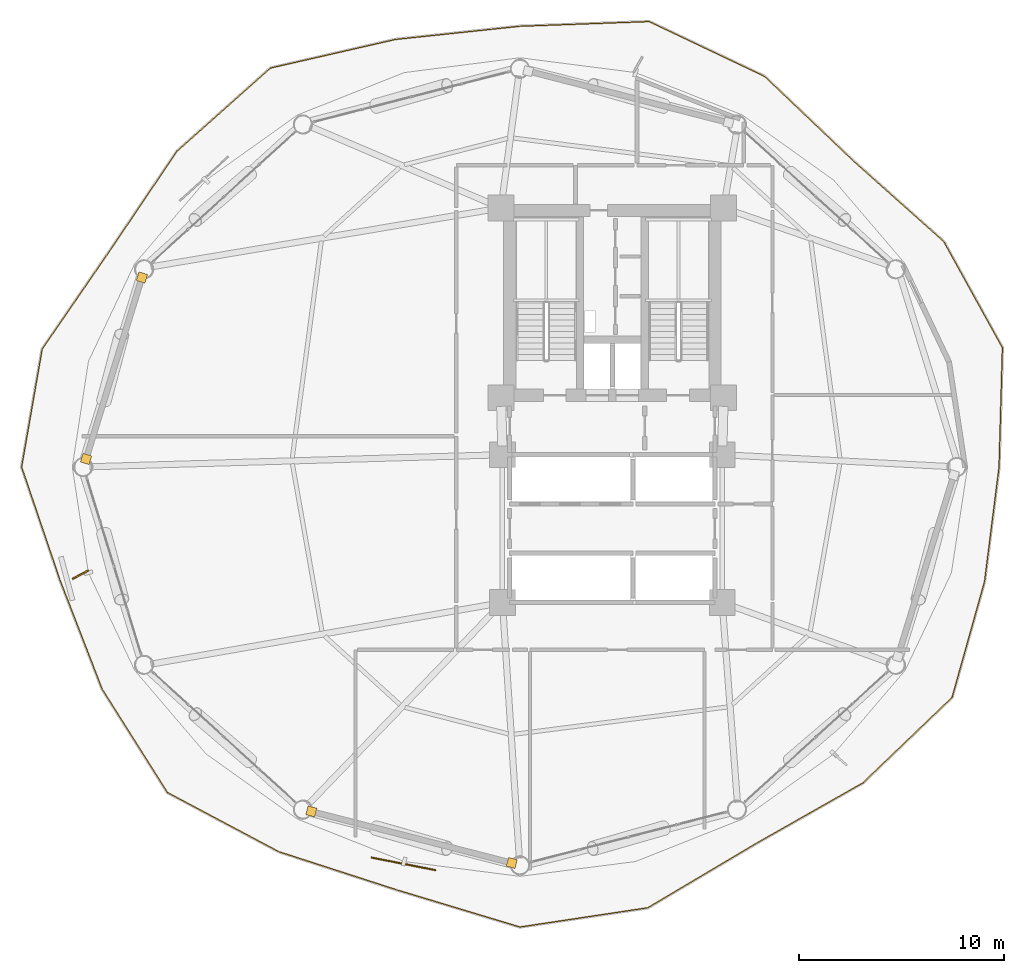
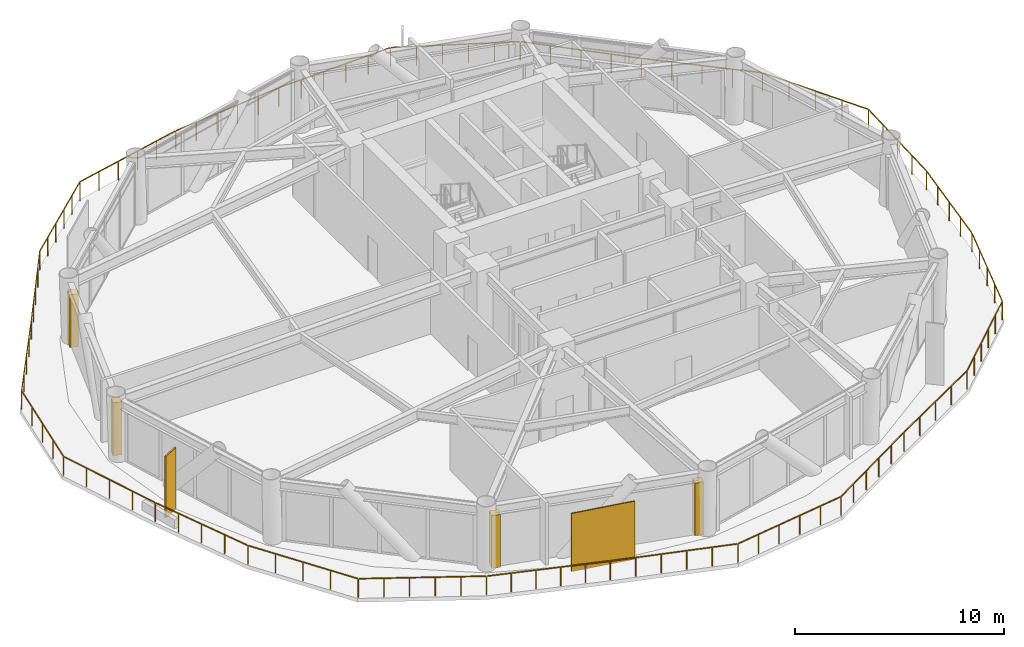
# One storey, part 23 of 25: 4 coverings, 2 shading devices, 1 railing.
"""IFC4 building model written with IfcOpenShell, lengths in metres."""

import ifcopenshell
import ifcopenshell.guid

model = None  # the IFC model being written
_history = None  # IfcOwnerHistory: only IFC2X3 demands one
_inside = {}  # id of a spatial element -> (the spatial element, [elements in it])
_under = {}  # id of a project, library or spatial element -> (it, [spatial elements below it])
_declared = {}  # id of a project -> (the project, [libraries it declares])
_typed = {}  # id of a type object -> (the type object, [elements of that type])
_made_of = {}  # id of a material, layer set ... -> (it, [elements and type objects made of it])


def new_model(schema):
    """Start an empty IFC model of exactly this schema.

    Asked for "IFC4X3", IfcOpenShell would pick the latest addendum, in which some entities
    have other attributes; the version numbers below select the first issue.
    IFC2X3 requires an IfcOwnerHistory on every rooted entity: one is made here for all.
    """
    global model, _history
    if schema == "IFC4X3":
        model = ifcopenshell.file(schema_version=(4, 3, 0, 0))
    else:
        model = ifcopenshell.file(schema=schema)
    _inside.clear()
    _under.clear()
    _declared.clear()
    _typed.clear()
    _made_of.clear()
    _history = None
    if model.schema == "IFC2X3":
        org = make("IfcOrganization", Name="unknown")
        user = make(
            "IfcPersonAndOrganization",
            ThePerson=make("IfcPerson", FamilyName="unknown"),
            TheOrganization=org,
        )
        app = make(
            "IfcApplication",
            ApplicationDeveloper=org,
            Version="unknown",
            ApplicationFullName="unknown",
            ApplicationIdentifier="unknown",
        )
        _history = make(
            "IfcOwnerHistory",
            OwningUser=user,
            OwningApplication=app,
            ChangeAction="ADDED",
            CreationDate=0,
        )
    return model


def make(cls, **values):
    """One entity of the class cls with the attributes given. An attribute that is None is left unset."""
    return model.create_entity(
        cls, **{name: value for name, value in values.items() if value is not None}
    )


def rooted(cls, **values):
    """An entity with a GlobalId (a new one), such as an element, a storey or a relation."""
    return make(cls, GlobalId=ifcopenshell.guid.new(), OwnerHistory=_history, **values)


def si_unit(unit_type, name, prefix=None):
    """IfcSIUnit, for example si_unit("LENGTHUNIT", "METRE", prefix="MILLI")."""
    return make("IfcSIUnit", UnitType=unit_type, Prefix=prefix, Name=name)


def assignment(units):
    """IfcUnitAssignment: the units of a project."""
    return None if units is None else make("IfcUnitAssignment", Units=units)


def point(xyz):
    """IfcCartesianPoint."""
    return None if xyz is None else make("IfcCartesianPoint", Coordinates=xyz)


def direction(xyz):
    """IfcDirection."""
    return None if xyz is None else make("IfcDirection", DirectionRatios=xyz)


def frame(location, z_axis=None, x_axis=None):
    """IfcAxis2Placement3D, a coordinate frame: its origin and axes. An axis left out is left unset."""
    return make(
        "IfcAxis2Placement3D",
        Location=point(location),
        Axis=direction(z_axis),
        RefDirection=direction(x_axis),
    )


def frame_2d(location, x_axis=None):
    """IfcAxis2Placement2D, a coordinate frame in the plane: its origin and x axis."""
    return make(
        "IfcAxis2Placement2D", Location=point(location), RefDirection=direction(x_axis)
    )


def origin():
    """The frame at (0, 0, 0) with its axes left unset."""
    return frame((0.0, 0.0, 0.0))


def origin_2d():
    """The frame at (0, 0) in the plane with its x axis left unset."""
    return frame_2d((0.0, 0.0))


def place(relative_to, where):
    """IfcLocalPlacement: puts the frame where relative to a parent placement (None: the world)."""
    return make(
        "IfcLocalPlacement", PlacementRelTo=relative_to, RelativePlacement=where
    )


def context(
    kind, dimensions, precision=None, world=None, true_north=None, identifier=None
):
    """IfcGeometricRepresentationContext, for example the 3D "Model" context."""
    return make(
        "IfcGeometricRepresentationContext",
        ContextIdentifier=identifier,
        ContextType=kind,
        CoordinateSpaceDimension=dimensions,
        Precision=precision,
        WorldCoordinateSystem=world,
        TrueNorth=true_north,
    )


def subcontext(parent, identifier, kind, view, scale=None):
    """IfcGeometricRepresentationSubContext, for example "Body" below "Model"."""
    return make(
        "IfcGeometricRepresentationSubContext",
        ContextIdentifier=identifier,
        ContextType=kind,
        ParentContext=parent,
        TargetScale=scale,
        TargetView=view,
    )


def project(units=None, contexts=None):
    """IfcProject with its units and contexts."""
    return rooted(
        "IfcProject",
        Name="project",
        RepresentationContexts=contexts,
        UnitsInContext=assignment(units),
    )


def spatial(cls, under=None, at=None, **own):
    """A site, building, storey or space (cls), placed at a placement, below another one or the project."""
    s = rooted(cls, ObjectPlacement=at, **own)
    if under is not None:
        _under.setdefault(under.id(), (under, []))[1].append(s)
    return s


def profile(cls, at=None, kind="AREA", **sizes):
    """A parametric profile (cls). Its sizes go by their IFC names, for example OverallWidth=200.0."""
    return make(cls, ProfileType=kind, Position=at, **sizes)


def rectangle(**sizes):
    """IfcRectangleProfileDef."""
    return profile("IfcRectangleProfileDef", **sizes)


def extrude(swept, where, along, depth):
    """IfcExtrudedAreaSolid: the profile swept, set in the frame where, extruded along a direction by depth."""
    return make(
        "IfcExtrudedAreaSolid",
        SweptArea=swept,
        Position=where,
        ExtrudedDirection=direction(along),
        Depth=depth,
    )


def shape(context_of_items, identifier, shape_type, items):
    """IfcShapeRepresentation: the items that make up one representation, for example the "Body"."""
    return make(
        "IfcShapeRepresentation",
        ContextOfItems=context_of_items,
        RepresentationIdentifier=identifier,
        RepresentationType=shape_type,
        Items=items,
    )


def source(mapping_origin, context_of_items, identifier, shape_type, items):
    """IfcRepresentationMap: a shape defined once, which mapped items show again and again."""
    return make(
        "IfcRepresentationMap",
        MappingOrigin=mapping_origin,
        MappedRepresentation=shape(context_of_items, identifier, shape_type, items),
    )


def transform(
    local_origin,
    x_axis=None,
    y_axis=None,
    z_axis=None,
    scale=None,
    scale2=None,
    scale3=None,
    uniform=True,
):
    """IfcCartesianTransformationOperator3D, or its non-uniform kind. x_axis, y_axis, z_axis: its Axis1, 2, 3."""
    if uniform:
        return make(
            "IfcCartesianTransformationOperator3D",
            Axis1=direction(x_axis),
            Axis2=direction(y_axis),
            LocalOrigin=point(local_origin),
            Scale=scale,
            Axis3=direction(z_axis),
        )
    return make(
        "IfcCartesianTransformationOperator3DnonUniform",
        Axis1=direction(x_axis),
        Axis2=direction(y_axis),
        LocalOrigin=point(local_origin),
        Scale=scale,
        Axis3=direction(z_axis),
        Scale2=scale2,
        Scale3=scale3,
    )


def mapped(mapping_source, mapping_target):
    """IfcMappedItem: shows the shape of a source again, moved by a transform."""
    return make(
        "IfcMappedItem", MappingSource=mapping_source, MappingTarget=mapping_target
    )


def material(Name=None, Category=None):
    """IfcMaterial."""
    return make("IfcMaterial", Name=Name, Category=Category)


def layer(
    of_material, thickness, ventilated=None, Name=None, Category=None, Priority=None
):
    """IfcMaterialLayer: one layer of a wall or slab, of a material (None: an air gap)."""
    return make(
        "IfcMaterialLayer",
        Material=of_material,
        LayerThickness=thickness,
        IsVentilated=ventilated,
        Name=Name,
        Category=Category,
        Priority=Priority,
    )


def layer_set(layers, Name=None):
    """IfcMaterialLayerSet."""
    return make("IfcMaterialLayerSet", MaterialLayers=layers, LayerSetName=Name)


def made_of(thing, what):
    """Note that an element or type object is made of a material, layer set ...; save() writes the relation."""
    if what is not None:
        _made_of.setdefault(what.id(), (what, []))[1].append(thing)
    return thing


def type_object(cls, material=None, **own):
    """A type object (cls), such as IfcWallType, which elements share."""
    return made_of(rooted(cls, **own), material)


def type_shapes(of_type, sources):
    """Give a type object the sources (RepresentationMaps) that its elements show as mapped items."""
    of_type.RepresentationMaps = sources


def element(
    cls,
    number,
    at=None,
    inside=None,
    cuts=None,
    type_object=None,
    material=None,
    context=None,
    identifier="Body",
    shape_type=None,
    held_by="IfcProductDefinitionShape",
    body=None,
    shapes=None,
    **own,
):
    """One element of the class cls, such as IfcWall. Its Tag is "e" and its number.

    at: its placement. inside: the storey or other place that contains it. cuts: it is an
    opening in that element (IfcRelVoidsElement). A single representation is given by context,
    identifier, shape_type and body (its items); several are given by shapes. held_by: the class
    of the entity that holds the representations. save() writes the other relations.
    """
    e = rooted(cls, Tag="e%d" % number, ObjectPlacement=at, **own)
    if body is not None:
        shapes = [shape(context, identifier, shape_type, body)]
    if shapes is not None:
        e.Representation = make(held_by, Representations=shapes)
    if inside is not None:
        _inside.setdefault(inside.id(), (inside, []))[1].append(e)
    if cuts is not None:
        rooted(
            "IfcRelVoidsElement", RelatingBuildingElement=cuts, RelatedOpeningElement=e
        )
    if type_object is not None:
        _typed.setdefault(type_object.id(), (type_object, []))[1].append(e)
    return made_of(e, material)


def aggregate(whole, parts):
    """IfcRelAggregates: a whole, such as a stair, and the parts it consists of."""
    return rooted("IfcRelAggregates", RelatingObject=whole, RelatedObjects=parts)


def save(model, path):
    """Write the relations noted so far, then the file.

    IfcRelAggregates (storeys below a building ...), IfcRelContainedInSpatialStructure (elements
    in a storey), IfcRelDefinesByType, IfcRelAssociatesMaterial and IfcRelDeclares: one each for
    every whole, place, type object, material and project.
    """
    for whole, parts in _under.values():
        aggregate(whole, parts)
    for where, things in _inside.values():
        rooted(
            "IfcRelContainedInSpatialStructure",
            RelatedElements=things,
            RelatingStructure=where,
        )
    for kind, things in _typed.values():
        rooted("IfcRelDefinesByType", RelatedObjects=things, RelatingType=kind)
    for what, things in _made_of.values():
        rooted("IfcRelAssociatesMaterial", RelatedObjects=things, RelatingMaterial=what)
    for by, libraries in _declared.values():
        rooted("IfcRelDeclares", RelatingContext=by, RelatedDefinitions=libraries)
    model.write(path)


model = new_model("IFC4")

# Units and contexts
model_context = context("Model", 3, precision=1e-05, world=origin(), true_north=direction((0.0, 1.0)))
body_context = subcontext(model_context, "Body", "Model", "MODEL_VIEW")
ifc_project = project(units=[si_unit("LENGTHUNIT", "METRE"), si_unit("AREAUNIT", "SQUARE_METRE"), si_unit("VOLUMEUNIT", "CUBIC_METRE"), si_unit("PLANEANGLEUNIT", "RADIAN"), si_unit("MASSUNIT", "GRAM", prefix="KILO")], contexts=[model_context])

# Site, building, storey
site_placement = place(None, origin())
site = spatial("IfcSite", under=ifc_project, at=site_placement, CompositionType="ELEMENT")
building_placement = place(site_placement, origin())
building = spatial("IfcBuilding", under=site, at=building_placement, Name="Varnakorn Sky Granary", CompositionType="ELEMENT")
storey_placement = place(building_placement, frame((0.0, 0.0, 54.89990234375)))
storey = spatial("IfcBuildingStorey", under=building, at=storey_placement, Name="L13", CompositionType="ELEMENT", Elevation=54.89990234375)

# Railing
ifc_material = material(Name="Anodised Bronze Aluminium Alloy 6063-T6", Category="aluminium")
railing_type = type_object("IfcRailingType", Name="RL-BAL-1120", PredefinedType="BALUSTRADE", material=ifc_material)
railing_placement = place(storey_placement, frame((21.83740234375, 0.0, 0.0)))
element("IfcRailing", 1, at=railing_placement, inside=storey, type_object=railing_type, Name="Wavy Growing Deck Guard Balustrade L13", PredefinedType="BALUSTRADE", context=body_context, shape_type="SweptSolid", body=[
    extrude(rectangle(XDim=0.048095703125, YDim=0.048095703125, at=origin_2d()), frame((0.000732421875, 0.028076171875, 1.09619140625), z_axis=(0.028158435354, 0.999603472642, 0.0), x_axis=(-0.999603472642, 0.028158435354, 0.0)), (0.0, 0.0, 1.0), 5.76171875),
    extrude(rectangle(XDim=0.048095703125, YDim=0.048095703125, at=origin_2d()), frame((0.150390625, 5.83984375, 1.09619140625), z_axis=(-0.48339293299, 0.87540349116, 0.0), x_axis=(-0.87540349116, -0.48339293299, 0.0)), (0.0, 0.0, 1.0), 5.853759765625),
    extrude(rectangle(XDim=0.048095703125, YDim=0.048095703125, at=origin_2d()), frame((-2.7138671875, 11.00732421875, 1.09619140625), z_axis=(-0.746350362775, 0.665553255559, 0.0), x_axis=(-0.665553255559, -0.746350362775, 0.0)), (0.0, 0.0, 1.0), 5.851318359375),
    extrude(rectangle(XDim=0.048095703125, YDim=0.048095703125, at=origin_2d()), frame((-7.1220703125, 14.939697265625, 1.09619140625), z_axis=(-0.72433755316, 0.689445508421, 0.0), x_axis=(-0.689445508421, -0.72433755316, 0.0)), (0.0, 0.0, 1.0), 5.905517578125),
    extrude(rectangle(XDim=0.048095703125, YDim=0.048095703125, at=origin_2d()), frame((-11.4453125, 19.04248046875, 1.09619140625), z_axis=(-0.903426840516, 0.428742281372, 0.0), x_axis=(-0.428742281372, -0.903426840516, 0.0)), (0.0, 0.0, 1.0), 6.166748046875),
    extrude(rectangle(XDim=0.048095703125, YDim=0.048095703125, at=origin_2d()), frame((-17.06982421875, 21.697509765625, 1.09619140625), z_axis=(-0.999343305131, -0.036234769081, 0.0), x_axis=(0.036234769081, -0.999343305131, 0.0)), (0.0, 0.0, 1.0), 6.243896484375),
    extrude(rectangle(XDim=0.048095703125, YDim=0.048095703125, at=origin_2d()), frame((-23.365234375, 21.46728515625, 1.09619140625), z_axis=(-0.994433461932, -0.105366454768, 0.0), x_axis=(0.105366454768, -0.994433461932, 0.0)), (0.0, 0.0, 1.0), 6.040283203125),
    extrude(rectangle(XDim=0.048095703125, YDim=0.048095703125, at=origin_2d()), frame((-29.427001953125, 20.821533203125, 1.09619140625), z_axis=(-0.974810450514, -0.223034942485, 0.0), x_axis=(0.223034942485, -0.974810450514, 0.0)), (0.0, 0.0, 1.0), 6.18994140625),
    extrude(rectangle(XDim=0.048095703125, YDim=0.048095703125, at=origin_2d()), frame((-35.50927734375, 19.416259765625, 1.09619140625), z_axis=(-0.747241228482, -0.664552892144, 0.0), x_axis=(0.664552892144, -0.747241228482, 0.0)), (0.0, 0.0, 1.0), 6.03515625),
    extrude(rectangle(XDim=0.048095703125, YDim=0.048095703125, at=origin_2d()), frame((-40.055419921875, 15.36376953125, 1.09619140625), z_axis=(-0.559523511195, -0.828814478892, 0.0), x_axis=(0.828814478892, -0.559523511195, 0.0)), (0.0, 0.0, 1.0), 5.738037109375),
    extrude(rectangle(XDim=0.048095703125, YDim=0.048095703125, at=origin_2d()), frame((-43.297607421875, 10.561767578125, 1.09619140625), z_axis=(-0.566717857448, -0.823911931003, 0.0), x_axis=(0.823911931003, -0.566717857448, 0.0)), (0.0, 0.0, 1.0), 5.808349609375),
    extrude(rectangle(XDim=0.048095703125, YDim=0.048095703125, at=origin_2d()), frame((-46.610107421875, 5.725341796875, 1.09619140625), z_axis=(-0.171743428829, -0.98514171298, 0.0), x_axis=(0.98514171298, -0.171743428829, 0.0)), (0.0, 0.0, 1.0), 5.78369140625),
    extrude(rectangle(XDim=0.048095703125, YDim=0.048095703125, at=origin_2d()), frame((-47.59912109375, -0.026611328125, 1.09619140625), z_axis=(0.321449930484, -0.94692657698, 0.0), x_axis=(0.94692657698, 0.321449930484, 0.0)), (0.0, 0.0, 1.0), 5.773193359375),
    extrude(rectangle(XDim=0.048095703125, YDim=0.048095703125, at=origin_2d()), frame((-45.724365234375, -5.5458984375, 1.09619140625), z_axis=(0.360591352578, -0.932723901509, 0.0), x_axis=(0.932723901509, 0.360591352578, 0.0)), (0.0, 0.0, 1.0), 5.62451171875),
    extrude(rectangle(XDim=0.048095703125, YDim=0.048095703125, at=origin_2d()), frame((-43.671142578125, -10.841796875, 1.09619140625), z_axis=(0.533895814271, -0.84555027024, 0.0), x_axis=(0.84555027024, 0.533895814271, 0.0)), (0.0, 0.0, 1.0), 5.899169921875),
    extrude(rectangle(XDim=0.048095703125, YDim=0.048095703125, at=origin_2d()), frame((-40.48193359375, -15.86669921875, 1.09619140625), z_axis=(0.883092553247, -0.469198830348, 0.0), x_axis=(0.469198830348, 0.883092553247, 0.0)), (0.0, 0.0, 1.0), 6.08447265625),
    extrude(rectangle(XDim=0.048095703125, YDim=0.048095703125, at=origin_2d()), frame((-35.057373046875, -18.7431640625, 1.09619140625), z_axis=(0.951415616737, -0.307909603989, 0.0), x_axis=(0.307909603989, 0.951415616737, 0.0)), (0.0, 0.0, 1.0), 5.984375),
    extrude(rectangle(XDim=0.048095703125, YDim=0.048095703125, at=origin_2d()), frame((-29.310302734375, -20.6025390625, 1.09619140625), z_axis=(0.957412476455, -0.288723656684, 0.0), x_axis=(0.288723656684, 0.957412476455, 0.0)), (0.0, 0.0, 1.0), 6.210693359375),
    extrude(rectangle(XDim=0.048095703125, YDim=0.048095703125, at=origin_2d()), frame((-23.309814453125, -22.399658203125, 1.09619140625), z_axis=(0.988854668406, 0.148883997703, 0.0), x_axis=(-0.148883997703, 0.988854668406, 0.0)), (0.0, 0.0, 1.0), 6.247314453125),
    extrude(rectangle(XDim=0.048095703125, YDim=0.048095703125, at=origin_2d()), frame((-17.080078125, -21.450927734375, 1.09619140625), z_axis=(0.859872742609, 0.510508439224, 0.0), x_axis=(-0.510508439224, 0.859872742609, 0.0)), (0.0, 0.0, 1.0), 6.08447265625),
    extrude(rectangle(XDim=0.048095703125, YDim=0.048095703125, at=origin_2d()), frame((-11.7998046875, -18.316650390625, 1.09619140625), z_axis=(0.869802688905, 0.49339971866, 0.0), x_axis=(-0.49339971866, 0.869802688905, 0.0)), (0.0, 0.0, 1.0), 5.909912109375),
    extrude(rectangle(XDim=0.048095703125, YDim=0.048095703125, at=origin_2d()), frame((-6.61474609375, -15.36767578125, 1.09619140625), z_axis=(0.722013530442, 0.691878935839, 0.0), x_axis=(-0.691878935839, 0.722013530442, 0.0)), (0.0, 0.0, 1.0), 5.963623046875),
    extrude(rectangle(XDim=0.048095703125, YDim=0.048095703125, at=origin_2d()), frame((-2.28125, -11.1953125, 1.09619140625), z_axis=(0.270044226214, 0.962847919398, 0.0), x_axis=(-0.962847919398, 0.270044226214, 0.0)), (0.0, 0.0, 1.0), 5.801513671875),
    extrude(rectangle(XDim=0.048095703125, YDim=0.048095703125, at=origin_2d()), frame((-0.70361328125, -5.554443359375, 1.09619140625), z_axis=(0.125652620859, 0.992074301084, 0.0), x_axis=(-0.992074301084, 0.125652620859, 0.0)), (0.0, 0.0, 1.0), 5.57080078125),
    extrude(rectangle(XDim=0.0419921875, YDim=0.0419921875, at=origin_2d()), origin(), (0.0, 0.0, 1.0), 1.068115234375),
    extrude(rectangle(XDim=0.0419921875, YDim=0.0419921875, at=origin_2d()), frame((0.041015625, 1.453857421875, 0.0)), (0.0, 0.0, 1.0), 1.068115234375),
    extrude(rectangle(XDim=0.0419921875, YDim=0.0419921875, at=origin_2d()), frame((0.08203125, 2.90771484375, 0.0)), (0.0, 0.0, 1.0), 1.068115234375),
    extrude(rectangle(XDim=0.0419921875, YDim=0.0419921875, at=origin_2d()), frame((0.122802734375, 4.361572265625, 0.0)), (0.0, 0.0, 1.0), 1.068115234375),
    extrude(rectangle(XDim=0.0419921875, YDim=0.0419921875, at=origin_2d()), frame((0.163818359375, 5.8154296875, 0.0)), (0.0, 0.0, 1.0), 1.068115234375),
    extrude(rectangle(XDim=0.0419921875, YDim=0.0419921875, at=origin_2d()), frame((-0.55029296875, 7.10888671875, 0.0)), (0.0, 0.0, 1.0), 1.068115234375),
    extrude(rectangle(XDim=0.0419921875, YDim=0.0419921875, at=origin_2d()), frame((-1.2646484375, 8.402099609375, 0.0)), (0.0, 0.0, 1.0), 1.068115234375),
    extrude(rectangle(XDim=0.0419921875, YDim=0.0419921875, at=origin_2d()), frame((-1.978759765625, 9.6953125, 0.0)), (0.0, 0.0, 1.0), 1.068115234375),
    extrude(rectangle(XDim=0.0419921875, YDim=0.0419921875, at=origin_2d()), frame((-2.69287109375, 10.98876953125, 0.0)), (0.0, 0.0, 1.0), 1.068115234375),
    extrude(rectangle(XDim=0.0419921875, YDim=0.0419921875, at=origin_2d()), frame((-3.795166015625, 11.9716796875, 0.0)), (0.0, 0.0, 1.0), 1.068115234375),
    extrude(rectangle(XDim=0.0419921875, YDim=0.0419921875, at=origin_2d()), frame((-4.8974609375, 12.95458984375, 0.0)), (0.0, 0.0, 1.0), 1.068115234375),
    extrude(rectangle(XDim=0.0419921875, YDim=0.0419921875, at=origin_2d()), frame((-5.99951171875, 13.9375, 0.0)), (0.0, 0.0, 1.0), 1.068115234375),
    extrude(rectangle(XDim=0.0419921875, YDim=0.0419921875, at=origin_2d()), frame((-7.101806640625, 14.92041015625, 0.0)), (0.0, 0.0, 1.0), 1.068115234375),
    extrude(rectangle(XDim=0.0419921875, YDim=0.0419921875, at=origin_2d()), frame((-8.181396484375, 15.947998046875, 0.0)), (0.0, 0.0, 1.0), 1.068115234375),
    extrude(rectangle(XDim=0.0419921875, YDim=0.0419921875, at=origin_2d()), frame((-9.2607421875, 16.9755859375, 0.0)), (0.0, 0.0, 1.0), 1.068115234375),
    extrude(rectangle(XDim=0.0419921875, YDim=0.0419921875, at=origin_2d()), frame((-10.34033203125, 18.0029296875, 0.0)), (0.0, 0.0, 1.0), 1.068115234375),
    extrude(rectangle(XDim=0.0419921875, YDim=0.0419921875, at=origin_2d()), frame((-11.419921875, 19.030517578125, 0.0)), (0.0, 0.0, 1.0), 1.068115234375),
    extrude(rectangle(XDim=0.0419921875, YDim=0.0419921875, at=origin_2d()), frame((-12.544189453125, 19.564208984375, 0.0)), (0.0, 0.0, 1.0), 1.068115234375),
    extrude(rectangle(XDim=0.0419921875, YDim=0.0419921875, at=origin_2d()), frame((-13.668701171875, 20.09765625, 0.0)), (0.0, 0.0, 1.0), 1.068115234375),
    extrude(rectangle(XDim=0.0419921875, YDim=0.0419921875, at=origin_2d()), frame((-14.79296875, 20.63134765625, 0.0)), (0.0, 0.0, 1.0), 1.068115234375),
    extrude(rectangle(XDim=0.0419921875, YDim=0.0419921875, at=origin_2d()), frame((-15.91748046875, 21.164794921875, 0.0)), (0.0, 0.0, 1.0), 1.068115234375),
    extrude(rectangle(XDim=0.0419921875, YDim=0.0419921875, at=origin_2d()), frame((-17.041748046875, 21.698486328125, 0.0)), (0.0, 0.0, 1.0), 1.068115234375),
    extrude(rectangle(XDim=0.0419921875, YDim=0.0419921875, at=origin_2d()), frame((-18.30078125, 21.65283203125, 0.0)), (0.0, 0.0, 1.0), 1.068115234375),
    extrude(rectangle(XDim=0.0419921875, YDim=0.0419921875, at=origin_2d()), frame((-19.56005859375, 21.607177734375, 0.0)), (0.0, 0.0, 1.0), 1.068115234375),
    extrude(rectangle(XDim=0.0419921875, YDim=0.0419921875, at=origin_2d()), frame((-20.819091796875, 21.5615234375, 0.0)), (0.0, 0.0, 1.0), 1.068115234375),
    extrude(rectangle(XDim=0.0419921875, YDim=0.0419921875, at=origin_2d()), frame((-22.078369140625, 21.515869140625, 0.0)), (0.0, 0.0, 1.0), 1.068115234375),
    extrude(rectangle(XDim=0.0419921875, YDim=0.0419921875, at=origin_2d()), frame((-23.33740234375, 21.47021484375, 0.0)), (0.0, 0.0, 1.0), 1.068115234375),
    extrude(rectangle(XDim=0.0419921875, YDim=0.0419921875, at=origin_2d()), frame((-24.5498046875, 21.341796875, 0.0)), (0.0, 0.0, 1.0), 1.068115234375),
    extrude(rectangle(XDim=0.0419921875, YDim=0.0419921875, at=origin_2d()), frame((-25.76220703125, 21.21337890625, 0.0)), (0.0, 0.0, 1.0), 1.068115234375),
    extrude(rectangle(XDim=0.0419921875, YDim=0.0419921875, at=origin_2d()), frame((-26.974853515625, 21.084716796875, 0.0)), (0.0, 0.0, 1.0), 1.068115234375),
    extrude(rectangle(XDim=0.0419921875, YDim=0.0419921875, at=origin_2d()), frame((-28.187255859375, 20.956298828125, 0.0)), (0.0, 0.0, 1.0), 1.068115234375),
    extrude(rectangle(XDim=0.0419921875, YDim=0.0419921875, at=origin_2d()), frame((-29.399658203125, 20.827880859375, 0.0)), (0.0, 0.0, 1.0), 1.068115234375),
    extrude(rectangle(XDim=0.0419921875, YDim=0.0419921875, at=origin_2d()), frame((-30.617431640625, 20.54931640625, 0.0)), (0.0, 0.0, 1.0), 1.068115234375),
    extrude(rectangle(XDim=0.0419921875, YDim=0.0419921875, at=origin_2d()), frame((-31.835205078125, 20.270751953125, 0.0)), (0.0, 0.0, 1.0), 1.068115234375),
    extrude(rectangle(XDim=0.0419921875, YDim=0.0419921875, at=origin_2d()), frame((-33.052734375, 19.991943359375, 0.0)), (0.0, 0.0, 1.0), 1.068115234375),
    extrude(rectangle(XDim=0.0419921875, YDim=0.0419921875, at=origin_2d()), frame((-34.2705078125, 19.71337890625, 0.0)), (0.0, 0.0, 1.0), 1.068115234375),
    extrude(rectangle(XDim=0.0419921875, YDim=0.0419921875, at=origin_2d()), frame((-35.48828125, 19.434814453125, 0.0)), (0.0, 0.0, 1.0), 1.068115234375),
    extrude(rectangle(XDim=0.0419921875, YDim=0.0419921875, at=origin_2d()), frame((-36.398681640625, 18.625244140625, 0.0)), (0.0, 0.0, 1.0), 1.068115234375),
    extrude(rectangle(XDim=0.0419921875, YDim=0.0419921875, at=origin_2d()), frame((-37.308837890625, 17.815673828125, 0.0)), (0.0, 0.0, 1.0), 1.068115234375),
    extrude(rectangle(XDim=0.0419921875, YDim=0.0419921875, at=origin_2d()), frame((-38.21923828125, 17.006103515625, 0.0)), (0.0, 0.0, 1.0), 1.068115234375),
    extrude(rectangle(XDim=0.0419921875, YDim=0.0419921875, at=origin_2d()), frame((-39.12939453125, 16.196533203125, 0.0)), (0.0, 0.0, 1.0), 1.068115234375),
    extrude(rectangle(XDim=0.0419921875, YDim=0.0419921875, at=origin_2d()), frame((-40.039794921875, 15.386962890625, 0.0)), (0.0, 0.0, 1.0), 1.068115234375),
    extrude(rectangle(XDim=0.0419921875, YDim=0.0419921875, at=origin_2d()), frame((-40.850341796875, 14.1865234375, 0.0)), (0.0, 0.0, 1.0), 1.068115234375),
    extrude(rectangle(XDim=0.0419921875, YDim=0.0419921875, at=origin_2d()), frame((-41.66064453125, 12.98583984375, 0.0)), (0.0, 0.0, 1.0), 1.068115234375),
    extrude(rectangle(XDim=0.0419921875, YDim=0.0419921875, at=origin_2d()), frame((-42.47119140625, 11.78515625, 0.0)), (0.0, 0.0, 1.0), 1.068115234375),
    extrude(rectangle(XDim=0.0419921875, YDim=0.0419921875, at=origin_2d()), frame((-43.28173828125, 10.584716796875, 0.0)), (0.0, 0.0, 1.0), 1.068115234375),
    extrude(rectangle(XDim=0.0419921875, YDim=0.0419921875, at=origin_2d()), frame((-44.112548828125, 9.376708984375, 0.0)), (0.0, 0.0, 1.0), 1.068115234375),
    extrude(rectangle(XDim=0.0419921875, YDim=0.0419921875, at=origin_2d()), frame((-44.943359375, 8.1689453125, 0.0)), (0.0, 0.0, 1.0), 1.068115234375),
    extrude(rectangle(XDim=0.0419921875, YDim=0.0419921875, at=origin_2d()), frame((-45.7744140625, 6.9609375, 0.0)), (0.0, 0.0, 1.0), 1.068115234375),
    extrude(rectangle(XDim=0.0419921875, YDim=0.0419921875, at=origin_2d()), frame((-46.605224609375, 5.7529296875, 0.0)), (0.0, 0.0, 1.0), 1.068115234375),
    extrude(rectangle(XDim=0.0419921875, YDim=0.0419921875, at=origin_2d()), frame((-46.85595703125, 4.314697265625, 0.0)), (0.0, 0.0, 1.0), 1.068115234375),
    extrude(rectangle(XDim=0.0419921875, YDim=0.0419921875, at=origin_2d()), frame((-47.106689453125, 2.87646484375, 0.0)), (0.0, 0.0, 1.0), 1.068115234375),
    extrude(rectangle(XDim=0.0419921875, YDim=0.0419921875, at=origin_2d()), frame((-47.357421875, 1.438232421875, 0.0)), (0.0, 0.0, 1.0), 1.068115234375),
    extrude(rectangle(XDim=0.0419921875, YDim=0.0419921875, at=origin_2d()), frame((-47.608154296875, 0.0, 0.0)), (0.0, 0.0, 1.0), 1.068115234375),
    extrude(rectangle(XDim=0.0419921875, YDim=0.0419921875, at=origin_2d()), frame((-47.1396484375, -1.3798828125, 0.0)), (0.0, 0.0, 1.0), 1.068115234375),
    extrude(rectangle(XDim=0.0419921875, YDim=0.0419921875, at=origin_2d()), frame((-46.67138671875, -2.759765625, 0.0)), (0.0, 0.0, 1.0), 1.068115234375),
    extrude(rectangle(XDim=0.0419921875, YDim=0.0419921875, at=origin_2d()), frame((-46.202880859375, -4.139892578125, 0.0)), (0.0, 0.0, 1.0), 1.068115234375),
    extrude(rectangle(XDim=0.0419921875, YDim=0.0419921875, at=origin_2d()), frame((-45.734375, -5.519775390625, 0.0)), (0.0, 0.0, 1.0), 1.068115234375),
    extrude(rectangle(XDim=0.0419921875, YDim=0.0419921875, at=origin_2d()), frame((-45.22216796875, -6.84423828125, 0.0)), (0.0, 0.0, 1.0), 1.068115234375),
    extrude(rectangle(XDim=0.0419921875, YDim=0.0419921875, at=origin_2d()), frame((-44.710205078125, -8.1689453125, 0.0)), (0.0, 0.0, 1.0), 1.068115234375),
    extrude(rectangle(XDim=0.0419921875, YDim=0.0419921875, at=origin_2d()), frame((-44.1982421875, -9.49365234375, 0.0)), (0.0, 0.0, 1.0), 1.068115234375),
    extrude(rectangle(XDim=0.0419921875, YDim=0.0419921875, at=origin_2d()), frame((-43.68603515625, -10.818115234375, 0.0)), (0.0, 0.0, 1.0), 1.068115234375),
    extrude(rectangle(XDim=0.0419921875, YDim=0.0419921875, at=origin_2d()), frame((-42.89111328125, -12.076904296875, 0.0)), (0.0, 0.0, 1.0), 1.068115234375),
    extrude(rectangle(XDim=0.0419921875, YDim=0.0419921875, at=origin_2d()), frame((-42.09619140625, -13.3359375, 0.0)), (0.0, 0.0, 1.0), 1.068115234375),
    extrude(rectangle(XDim=0.0419921875, YDim=0.0419921875, at=origin_2d()), frame((-41.301513671875, -14.5947265625, 0.0)), (0.0, 0.0, 1.0), 1.068115234375),
    extrude(rectangle(XDim=0.0419921875, YDim=0.0419921875, at=origin_2d()), frame((-40.506591796875, -15.853515625, 0.0)), (0.0, 0.0, 1.0), 1.068115234375),
    extrude(rectangle(XDim=0.0419921875, YDim=0.0419921875, at=origin_2d()), frame((-39.422119140625, -16.4296875, 0.0)), (0.0, 0.0, 1.0), 1.068115234375),
    extrude(rectangle(XDim=0.0419921875, YDim=0.0419921875, at=origin_2d()), frame((-38.337646484375, -17.005859375, 0.0)), (0.0, 0.0, 1.0), 1.068115234375),
    extrude(rectangle(XDim=0.0419921875, YDim=0.0419921875, at=origin_2d()), frame((-37.2529296875, -17.582275390625, 0.0)), (0.0, 0.0, 1.0), 1.068115234375),
    extrude(rectangle(XDim=0.0419921875, YDim=0.0419921875, at=origin_2d()), frame((-36.16845703125, -18.158447265625, 0.0)), (0.0, 0.0, 1.0), 1.068115234375),
    extrude(rectangle(XDim=0.0419921875, YDim=0.0419921875, at=origin_2d()), frame((-35.083984375, -18.734619140625, 0.0)), (0.0, 0.0, 1.0), 1.068115234375),
    extrude(rectangle(XDim=0.0419921875, YDim=0.0419921875, at=origin_2d()), frame((-33.9345703125, -19.106689453125, 0.0)), (0.0, 0.0, 1.0), 1.068115234375),
    extrude(rectangle(XDim=0.0419921875, YDim=0.0419921875, at=origin_2d()), frame((-32.78515625, -19.478515625, 0.0)), (0.0, 0.0, 1.0), 1.068115234375),
    extrude(rectangle(XDim=0.0419921875, YDim=0.0419921875, at=origin_2d()), frame((-31.635986328125, -19.8505859375, 0.0)), (0.0, 0.0, 1.0), 1.068115234375),
    extrude(rectangle(XDim=0.0419921875, YDim=0.0419921875, at=origin_2d()), frame((-30.486572265625, -20.222412109375, 0.0)), (0.0, 0.0, 1.0), 1.068115234375),
    extrude(rectangle(XDim=0.0419921875, YDim=0.0419921875, at=origin_2d()), frame((-29.337158203125, -20.594482421875, 0.0)), (0.0, 0.0, 1.0), 1.068115234375),
    extrude(rectangle(XDim=0.0419921875, YDim=0.0419921875, at=origin_2d()), frame((-28.13720703125, -20.956298828125, 0.0)), (0.0, 0.0, 1.0), 1.068115234375),
    extrude(rectangle(XDim=0.0419921875, YDim=0.0419921875, at=origin_2d()), frame((-26.937255859375, -21.318115234375, 0.0)), (0.0, 0.0, 1.0), 1.068115234375),
    extrude(rectangle(XDim=0.0419921875, YDim=0.0419921875, at=origin_2d()), frame((-25.7373046875, -21.68017578125, 0.0)), (0.0, 0.0, 1.0), 1.068115234375),
    extrude(rectangle(XDim=0.0419921875, YDim=0.0419921875, at=origin_2d()), frame((-24.537353515625, -22.0419921875, 0.0)), (0.0, 0.0, 1.0), 1.068115234375),
    extrude(rectangle(XDim=0.0419921875, YDim=0.0419921875, at=origin_2d()), frame((-23.33740234375, -22.40380859375, 0.0)), (0.0, 0.0, 1.0), 1.068115234375),
    extrude(rectangle(XDim=0.0419921875, YDim=0.0419921875, at=origin_2d()), frame((-22.0908203125, -22.216064453125, 0.0)), (0.0, 0.0, 1.0), 1.068115234375),
    extrude(rectangle(XDim=0.0419921875, YDim=0.0419921875, at=origin_2d()), frame((-20.84423828125, -22.0283203125, 0.0)), (0.0, 0.0, 1.0), 1.068115234375),
    extrude(rectangle(XDim=0.0419921875, YDim=0.0419921875, at=origin_2d()), frame((-19.597412109375, -21.8408203125, 0.0)), (0.0, 0.0, 1.0), 1.068115234375),
    extrude(rectangle(XDim=0.0419921875, YDim=0.0419921875, at=origin_2d()), frame((-18.350830078125, -21.653076171875, 0.0)), (0.0, 0.0, 1.0), 1.068115234375),
    extrude(rectangle(XDim=0.0419921875, YDim=0.0419921875, at=origin_2d()), frame((-17.104248046875, -21.46533203125, 0.0)), (0.0, 0.0, 1.0), 1.068115234375),
    extrude(rectangle(XDim=0.0419921875, YDim=0.0419921875, at=origin_2d()), frame((-16.04833984375, -20.83837890625, 0.0)), (0.0, 0.0, 1.0), 1.068115234375),
    extrude(rectangle(XDim=0.0419921875, YDim=0.0419921875, at=origin_2d()), frame((-14.9921875, -20.21142578125, 0.0)), (0.0, 0.0, 1.0), 1.068115234375),
    extrude(rectangle(XDim=0.0419921875, YDim=0.0419921875, at=origin_2d()), frame((-13.936279296875, -19.58447265625, 0.0)), (0.0, 0.0, 1.0), 1.068115234375),
    extrude(rectangle(XDim=0.0419921875, YDim=0.0419921875, at=origin_2d()), frame((-12.880126953125, -18.95751953125, 0.0)), (0.0, 0.0, 1.0), 1.068115234375),
    extrude(rectangle(XDim=0.0419921875, YDim=0.0419921875, at=origin_2d()), frame((-11.82421875, -18.33056640625, 0.0)), (0.0, 0.0, 1.0), 1.068115234375),
    extrude(rectangle(XDim=0.0419921875, YDim=0.0419921875, at=origin_2d()), frame((-10.52685546875, -17.5947265625, 0.0)), (0.0, 0.0, 1.0), 1.068115234375),
    extrude(rectangle(XDim=0.0419921875, YDim=0.0419921875, at=origin_2d()), frame((-9.2294921875, -16.85888671875, 0.0)), (0.0, 0.0, 1.0), 1.068115234375),
    extrude(rectangle(XDim=0.0419921875, YDim=0.0419921875, at=origin_2d()), frame((-7.932373046875, -16.122802734375, 0.0)), (0.0, 0.0, 1.0), 1.068115234375),
    extrude(rectangle(XDim=0.0419921875, YDim=0.0419921875, at=origin_2d()), frame((-6.635009765625, -15.386962890625, 0.0)), (0.0, 0.0, 1.0), 1.068115234375),
    extrude(rectangle(XDim=0.0419921875, YDim=0.0419921875, at=origin_2d()), frame((-5.765869140625, -14.553955078125, 0.0)), (0.0, 0.0, 1.0), 1.068115234375),
    extrude(rectangle(XDim=0.0419921875, YDim=0.0419921875, at=origin_2d()), frame((-4.896484375, -13.720947265625, 0.0)), (0.0, 0.0, 1.0), 1.068115234375),
    extrude(rectangle(XDim=0.0419921875, YDim=0.0419921875, at=origin_2d()), frame((-4.02734375, -12.88818359375, 0.0)), (0.0, 0.0, 1.0), 1.068115234375),
    extrude(rectangle(XDim=0.0419921875, YDim=0.0419921875, at=origin_2d()), frame((-3.157958984375, -12.05517578125, 0.0)), (0.0, 0.0, 1.0), 1.068115234375),
    extrude(rectangle(XDim=0.0419921875, YDim=0.0419921875, at=origin_2d()), frame((-2.288818359375, -11.22216796875, 0.0)), (0.0, 0.0, 1.0), 1.068115234375),
    extrude(rectangle(XDim=0.0419921875, YDim=0.0419921875, at=origin_2d()), frame((-1.893310546875, -9.812255859375, 0.0)), (0.0, 0.0, 1.0), 1.068115234375),
    extrude(rectangle(XDim=0.0419921875, YDim=0.0419921875, at=origin_2d()), frame((-1.498046875, -8.40234375, 0.0)), (0.0, 0.0, 1.0), 1.068115234375),
    extrude(rectangle(XDim=0.0419921875, YDim=0.0419921875, at=origin_2d()), frame((-1.1025390625, -6.9921875, 0.0)), (0.0, 0.0, 1.0), 1.068115234375),
    extrude(rectangle(XDim=0.0419921875, YDim=0.0419921875, at=origin_2d()), frame((-0.70703125, -5.582275390625, 0.0)), (0.0, 0.0, 1.0), 1.068115234375),
    extrude(rectangle(XDim=0.0419921875, YDim=0.0419921875, at=origin_2d()), frame((-0.5302734375, -4.186767578125, 0.0)), (0.0, 0.0, 1.0), 1.068115234375),
    extrude(rectangle(XDim=0.0419921875, YDim=0.0419921875, at=origin_2d()), frame((-0.353515625, -2.791015625, 0.0)), (0.0, 0.0, 1.0), 1.068115234375),
    extrude(rectangle(XDim=0.0419921875, YDim=0.0419921875, at=origin_2d()), frame((-0.1767578125, -1.3955078125, 0.0)), (0.0, 0.0, 1.0), 1.068115234375),
])

# Shading device
shading_device_type_1 = type_object("IfcShadingDeviceType", Name="SH-FIN-01", PredefinedType="USERDEFINED", material=ifc_material)
shared_shape_1 = source(origin(), body_context, "Body", "SweptSolid", [
    extrude(rectangle(XDim=0.0849609375, YDim=0.8798828125, at=origin_2d()), origin(), (0.0, 0.0, 1.0), 3.60009765625),
])
type_shapes(shading_device_type_1, [shared_shape_1])
shading_device_1_placement = place(storey_placement, frame((-22.90673828125, -5.2412109375, -0.0400390625), z_axis=(0.0, 0.0, 1.0), x_axis=(0.468662647851, -0.883377225487, 0.0)))
element("IfcShadingDevice", 2, at=shading_device_1_placement, inside=storey, type_object=shading_device_type_1, Name="Bronze Solar-Tracking Vertical Blade FIN L13-07", ObjectType="FIN", PredefinedType="USERDEFINED", context=body_context, shape_type="MappedRepresentation", body=[
    mapped(shared_shape_1, transform((0.0, 0.0, 0.0), x_axis=(1.0, 0.0, 0.0), y_axis=(0.0, 1.0, 0.0), z_axis=(0.0, 0.0, 1.0), scale=1.0)),
])

# Coverings
ifc_layer = layer(ifc_material, 0.050048828125, Name="Anodised Bronze Aluminium Alloy 6063-T6")
ifc_layer_set = layer_set([ifc_layer], Name="Anodised Bronze Aluminium Alloy 6063-T6")
covering_type = type_object("IfcCoveringType", Name="CV-CLAD-50", PredefinedType="CLADDING", material=ifc_layer_set)
shared_shape_2 = source(origin(), body_context, "Body", "SweptSolid", [
    extrude(rectangle(XDim=0.43994140625, YDim=0.43994140625, at=origin_2d()), origin(), (0.0, 0.0, 1.0), 3.080078125),
])
type_shapes(covering_type, [shared_shape_2])
for number, where, z_axis, x_axis, name in (
    (3, (-22.6328125, 0.393798828125, -0.02001953125), (0.0, 0.0, 1.0), (0.294373942013, 0.955690317134, 0.0), "Bronze Corner Pilaster Closure L13-P06-A"),
    (4, (-19.910888671875, 9.232177734375, -0.02001953125), (0.0, 0.0, 1.0), (0.294373942013, 0.955690317134, 0.0), "Bronze Corner Pilaster Closure L13-P06-B"),
    (5, (-1.89892578125, -19.284423828125, -0.02001953125), (0.0, 0.0, 1.0), (-0.968496292974, 0.249027971312, 0.0), "Bronze Corner Pilaster Closure L13-P09-A"),
    (6, (-11.660400390625, -16.775390625, -0.02001953125), (0.0, 0.0, 1.0), (-0.968496292974, 0.249027971312, 0.0), "Bronze Corner Pilaster Closure L13-P09-B"),
):
    element("IfcCovering", number, at=place(storey_placement, frame(where, z_axis=z_axis, x_axis=x_axis)), inside=storey, type_object=covering_type, Name=name, PredefinedType="CLADDING", context=body_context, shape_type="MappedRepresentation", body=[
        mapped(shared_shape_2, transform((0.0, 0.0, 0.0), x_axis=(1.0, 0.0, 0.0), y_axis=(0.0, 1.0, 0.0), z_axis=(0.0, 0.0, 1.0), scale=1.0)),
    ])

# Shading device
shading_device_type_2 = type_object("IfcShadingDeviceType", Name="SH-SCR-01", PredefinedType="USERDEFINED", material=ifc_material)
shared_shape_3 = source(origin(), body_context, "Body", "SweptSolid", [
    extrude(rectangle(XDim=3.199951171875, YDim=0.06494140625, at=origin_2d()), origin(), (0.0, 0.0, 1.0), 3.39990234375),
])
type_shapes(shading_device_type_2, [shared_shape_3])
shading_device_2_placement = place(storey_placement, frame((-7.168212890625, -19.32861328125, -0.039794921875), z_axis=(0.0, 0.0, 1.0), x_axis=(0.981313356562, -0.192416465599, 0.0)))
element("IfcShadingDevice", 7, at=shading_device_2_placement, inside=storey, type_object=shading_device_type_2, Name="Perforated Bronze Solar Screen Panel SCREEN L13-09", ObjectType="SCREEN", PredefinedType="USERDEFINED", context=body_context, shape_type="MappedRepresentation", body=[
    mapped(shared_shape_3, transform((0.0, 0.0, 0.0), x_axis=(1.0, 0.0, 0.0), y_axis=(0.0, 1.0, 0.0), z_axis=(0.0, 0.0, 1.0), scale=1.0)),
])

save(model, "model.ifc")
